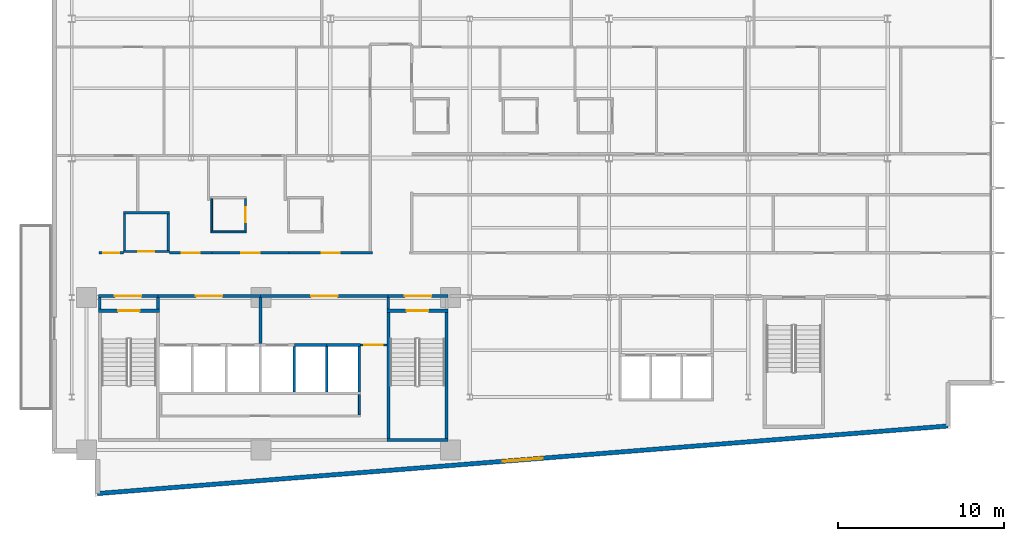
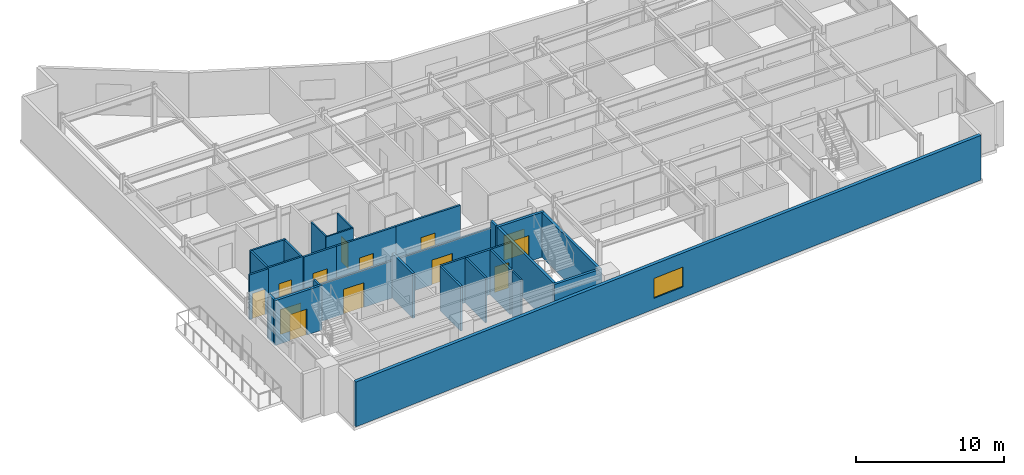
# One storey, part 10 of 18: 32 walls, 13 doors, 1 window, 14 openings.
"""IFC4 building model written with IfcOpenShell, lengths in metres."""

import ifcopenshell
import ifcopenshell.guid

model = None  # the IFC model being written
_history = None  # IfcOwnerHistory: only IFC2X3 demands one
_inside = {}  # id of a spatial element -> (the spatial element, [elements in it])
_under = {}  # id of a project, library or spatial element -> (it, [spatial elements below it])
_declared = {}  # id of a project -> (the project, [libraries it declares])
_typed = {}  # id of a type object -> (the type object, [elements of that type])
_made_of = {}  # id of a material, layer set ... -> (it, [elements and type objects made of it])


def new_model(schema):
    """Start an empty IFC model of exactly this schema.

    Asked for "IFC4X3", IfcOpenShell would pick the latest addendum, in which some entities
    have other attributes; the version numbers below select the first issue.
    IFC2X3 requires an IfcOwnerHistory on every rooted entity: one is made here for all.
    """
    global model, _history
    if schema == "IFC4X3":
        model = ifcopenshell.file(schema_version=(4, 3, 0, 0))
    else:
        model = ifcopenshell.file(schema=schema)
    _inside.clear()
    _under.clear()
    _declared.clear()
    _typed.clear()
    _made_of.clear()
    _history = None
    if model.schema == "IFC2X3":
        org = make("IfcOrganization", Name="unknown")
        user = make(
            "IfcPersonAndOrganization",
            ThePerson=make("IfcPerson", FamilyName="unknown"),
            TheOrganization=org,
        )
        app = make(
            "IfcApplication",
            ApplicationDeveloper=org,
            Version="unknown",
            ApplicationFullName="unknown",
            ApplicationIdentifier="unknown",
        )
        _history = make(
            "IfcOwnerHistory",
            OwningUser=user,
            OwningApplication=app,
            ChangeAction="ADDED",
            CreationDate=0,
        )
    return model


def make(cls, **values):
    """One entity of the class cls with the attributes given. An attribute that is None is left unset."""
    return model.create_entity(
        cls, **{name: value for name, value in values.items() if value is not None}
    )


def rooted(cls, **values):
    """An entity with a GlobalId (a new one), such as an element, a storey or a relation."""
    return make(cls, GlobalId=ifcopenshell.guid.new(), OwnerHistory=_history, **values)


def si_unit(unit_type, name, prefix=None):
    """IfcSIUnit, for example si_unit("LENGTHUNIT", "METRE", prefix="MILLI")."""
    return make("IfcSIUnit", UnitType=unit_type, Prefix=prefix, Name=name)


def assignment(units):
    """IfcUnitAssignment: the units of a project."""
    return None if units is None else make("IfcUnitAssignment", Units=units)


def point(xyz):
    """IfcCartesianPoint."""
    return None if xyz is None else make("IfcCartesianPoint", Coordinates=xyz)


def direction(xyz):
    """IfcDirection."""
    return None if xyz is None else make("IfcDirection", DirectionRatios=xyz)


def frame(location, z_axis=None, x_axis=None):
    """IfcAxis2Placement3D, a coordinate frame: its origin and axes. An axis left out is left unset."""
    return make(
        "IfcAxis2Placement3D",
        Location=point(location),
        Axis=direction(z_axis),
        RefDirection=direction(x_axis),
    )


def frame_2d(location, x_axis=None):
    """IfcAxis2Placement2D, a coordinate frame in the plane: its origin and x axis."""
    return make(
        "IfcAxis2Placement2D", Location=point(location), RefDirection=direction(x_axis)
    )


def origin():
    """The frame at (0, 0, 0) with its axes left unset."""
    return frame((0.0, 0.0, 0.0))


def place(relative_to, where):
    """IfcLocalPlacement: puts the frame where relative to a parent placement (None: the world)."""
    return make(
        "IfcLocalPlacement", PlacementRelTo=relative_to, RelativePlacement=where
    )


def context(
    kind, dimensions, precision=None, world=None, true_north=None, identifier=None
):
    """IfcGeometricRepresentationContext, for example the 3D "Model" context."""
    return make(
        "IfcGeometricRepresentationContext",
        ContextIdentifier=identifier,
        ContextType=kind,
        CoordinateSpaceDimension=dimensions,
        Precision=precision,
        WorldCoordinateSystem=world,
        TrueNorth=true_north,
    )


def subcontext(parent, identifier, kind, view, scale=None):
    """IfcGeometricRepresentationSubContext, for example "Body" below "Model"."""
    return make(
        "IfcGeometricRepresentationSubContext",
        ContextIdentifier=identifier,
        ContextType=kind,
        ParentContext=parent,
        TargetScale=scale,
        TargetView=view,
    )


def project(units=None, contexts=None):
    """IfcProject with its units and contexts."""
    return rooted(
        "IfcProject",
        Name="project",
        RepresentationContexts=contexts,
        UnitsInContext=assignment(units),
    )


def spatial(cls, under=None, at=None, **own):
    """A site, building, storey or space (cls), placed at a placement, below another one or the project."""
    s = rooted(cls, ObjectPlacement=at, **own)
    if under is not None:
        _under.setdefault(under.id(), (under, []))[1].append(s)
    return s


def profile(cls, at=None, kind="AREA", **sizes):
    """A parametric profile (cls). Its sizes go by their IFC names, for example OverallWidth=200.0."""
    return make(cls, ProfileType=kind, Position=at, **sizes)


def rectangle(**sizes):
    """IfcRectangleProfileDef."""
    return profile("IfcRectangleProfileDef", **sizes)


def extrude(swept, where, along, depth):
    """IfcExtrudedAreaSolid: the profile swept, set in the frame where, extruded along a direction by depth."""
    return make(
        "IfcExtrudedAreaSolid",
        SweptArea=swept,
        Position=where,
        ExtrudedDirection=direction(along),
        Depth=depth,
    )


def shape(context_of_items, identifier, shape_type, items):
    """IfcShapeRepresentation: the items that make up one representation, for example the "Body"."""
    return make(
        "IfcShapeRepresentation",
        ContextOfItems=context_of_items,
        RepresentationIdentifier=identifier,
        RepresentationType=shape_type,
        Items=items,
    )


def material(Name=None, Category=None):
    """IfcMaterial."""
    return make("IfcMaterial", Name=Name, Category=Category)


def layer(
    of_material, thickness, ventilated=None, Name=None, Category=None, Priority=None
):
    """IfcMaterialLayer: one layer of a wall or slab, of a material (None: an air gap)."""
    return make(
        "IfcMaterialLayer",
        Material=of_material,
        LayerThickness=thickness,
        IsVentilated=ventilated,
        Name=Name,
        Category=Category,
        Priority=Priority,
    )


def layer_set(layers, Name=None):
    """IfcMaterialLayerSet."""
    return make("IfcMaterialLayerSet", MaterialLayers=layers, LayerSetName=Name)


def made_of(thing, what):
    """Note that an element or type object is made of a material, layer set ...; save() writes the relation."""
    if what is not None:
        _made_of.setdefault(what.id(), (what, []))[1].append(thing)
    return thing


def type_object(cls, material=None, **own):
    """A type object (cls), such as IfcWallType, which elements share."""
    return made_of(rooted(cls, **own), material)


def element(
    cls,
    number,
    at=None,
    inside=None,
    cuts=None,
    type_object=None,
    material=None,
    context=None,
    identifier="Body",
    shape_type=None,
    held_by="IfcProductDefinitionShape",
    body=None,
    shapes=None,
    **own,
):
    """One element of the class cls, such as IfcWall. Its Tag is "e" and its number.

    at: its placement. inside: the storey or other place that contains it. cuts: it is an
    opening in that element (IfcRelVoidsElement). A single representation is given by context,
    identifier, shape_type and body (its items); several are given by shapes. held_by: the class
    of the entity that holds the representations. save() writes the other relations.
    """
    e = rooted(cls, Tag="e%d" % number, ObjectPlacement=at, **own)
    if body is not None:
        shapes = [shape(context, identifier, shape_type, body)]
    if shapes is not None:
        e.Representation = make(held_by, Representations=shapes)
    if inside is not None:
        _inside.setdefault(inside.id(), (inside, []))[1].append(e)
    if cuts is not None:
        rooted(
            "IfcRelVoidsElement", RelatingBuildingElement=cuts, RelatedOpeningElement=e
        )
    if type_object is not None:
        _typed.setdefault(type_object.id(), (type_object, []))[1].append(e)
    return made_of(e, material)


def fill(opening, filler):
    """IfcRelFillsElement: the door or window that sits in an opening."""
    return rooted(
        "IfcRelFillsElement",
        RelatingOpeningElement=opening,
        RelatedBuildingElement=filler,
    )


def aggregate(whole, parts):
    """IfcRelAggregates: a whole, such as a stair, and the parts it consists of."""
    return rooted("IfcRelAggregates", RelatingObject=whole, RelatedObjects=parts)


def save(model, path):
    """Write the relations noted so far, then the file.

    IfcRelAggregates (storeys below a building ...), IfcRelContainedInSpatialStructure (elements
    in a storey), IfcRelDefinesByType, IfcRelAssociatesMaterial and IfcRelDeclares: one each for
    every whole, place, type object, material and project.
    """
    for whole, parts in _under.values():
        aggregate(whole, parts)
    for where, things in _inside.values():
        rooted(
            "IfcRelContainedInSpatialStructure",
            RelatedElements=things,
            RelatingStructure=where,
        )
    for kind, things in _typed.values():
        rooted("IfcRelDefinesByType", RelatedObjects=things, RelatingType=kind)
    for what, things in _made_of.values():
        rooted("IfcRelAssociatesMaterial", RelatedObjects=things, RelatingMaterial=what)
    for by, libraries in _declared.values():
        rooted("IfcRelDeclares", RelatingContext=by, RelatedDefinitions=libraries)
    model.write(path)


model = new_model("IFC4")

# Units and contexts
model_context = context("Model", 3, precision=1e-05, world=origin(), true_north=direction((0.0, 1.0)))
body_context = subcontext(model_context, "Body", "Model", "MODEL_VIEW")
ifc_project = project(units=[si_unit("LENGTHUNIT", "METRE"), si_unit("AREAUNIT", "SQUARE_METRE"), si_unit("VOLUMEUNIT", "CUBIC_METRE"), si_unit("PLANEANGLEUNIT", "RADIAN"), si_unit("MASSUNIT", "GRAM", prefix="KILO")], contexts=[model_context])

# Site, building, storey
site_placement = place(None, origin())
site = spatial("IfcSite", under=ifc_project, at=site_placement, CompositionType="ELEMENT")
building_placement = place(site_placement, origin())
building = spatial("IfcBuilding", under=site, at=building_placement, Name="Varnakote Quay Hospital", CompositionType="ELEMENT")
storey_placement = place(building_placement, frame((0.0, 0.0, 158.64990234375)))
storey = spatial("IfcBuildingStorey", under=building, at=storey_placement, Name="L39", CompositionType="ELEMENT", Elevation=158.64990234375)

# Wall
ifc_material_1 = material(Name="Fire-rated acoustic gypsum stud wall", Category="gypsum")
ifc_layer_1 = layer(ifc_material_1, 0.159912109375)
ifc_layer_set_1 = layer_set([ifc_layer_1], Name="Fire-rated acoustic gypsum stud wall")
wall_type_1 = type_object("IfcWallType", Name="WL-COMP-160", PredefinedType="PARTITIONING", material=ifc_layer_set_1)
wall_1_placement = place(storey_placement, frame((2.8798828125, 11.300048828125, 0.0), z_axis=(0.0, 0.0, 1.0), x_axis=(0.0, 1.0, 0.0)))
element("IfcWall", 1, at=wall_1_placement, inside=storey, type_object=wall_type_1, Name="L39 West Stair Vestibule West Wall", PredefinedType="PARTITIONING", context=body_context, shape_type="SweptSolid", body=[
    extrude(rectangle(XDim=0.699951171875, YDim=0.159912109375, at=frame_2d((0.35009765625, 0.0))), origin(), (0.0, 0.0, 1.0), 3.710205078125),
])

# Wall, opening, door
wall_2_placement = place(storey_placement, frame((2.800048828125, 12.080078125, 0.0), z_axis=(0.0, 0.0, 1.0), x_axis=(1.0, 0.0, 0.0)))
wall_2 = element("IfcWall", 2, at=wall_2_placement, inside=storey, type_object=wall_type_1, Name="L39 West Stair Vestibule Smoke Wall", PredefinedType="PARTITIONING", context=body_context, shape_type="SweptSolid", body=[
    extrude(rectangle(XDim=3.599853515625, YDim=0.159912109375, at=frame_2d((1.7998046875, 0.0))), origin(), (0.0, 0.0, 1.0), 3.0830078125),
])
opening_1_placement = place(wall_2_placement, frame((1.0, 0.0, 0.0)))
opening_1 = element("IfcOpeningElement", 3, at=opening_1_placement, cuts=wall_2, Name="Opening D-ST1L-L39", PredefinedType="OPENING", context=body_context, shape_type="SweptSolid", body=[
    extrude(rectangle(XDim=1.60009765625, YDim=2.050048828125, at=frame_2d((0.800048828125, 1.02490234375))), frame((0.0, 0.08984375, 0.0), z_axis=(0.0, -1.0, 0.0), x_axis=(1.0, 0.0, 0.0)), (0.0, 0.0, 1.0), 0.179931640625),
])
ifc_material_2 = material(Name="Fire-rated double smoke lobby door")
door_type_1 = type_object("IfcDoorType", Name="DR-LOBBY-FD60S-1600x2150", OperationType="NOTDEFINED", PredefinedType="DOOR", material=ifc_material_2)
door_1_placement = place(opening_1_placement, origin())
door_1 = element("IfcDoor", 4, at=door_1_placement, inside=storey, type_object=door_type_1, Name="L39 West Stair Vestibule Smoke Door", OperationType="DOUBLE_DOOR_SINGLE_SWING", OverallHeight=2.050048828125, OverallWidth=1.60009765625, PredefinedType="DOOR", context=body_context, shape_type="SweptSolid", body=[
    extrude(rectangle(XDim=1.60009765625, YDim=2.050048828125, at=frame_2d((0.800048828125, 1.02490234375))), frame((0.0, 0.02490234375, 0.0), z_axis=(0.0, -1.0, 0.0), x_axis=(1.0, 0.0, 0.0)), (0.0, 0.0, 1.0), 0.050048828125),
])
fill(opening_1, door_1)

# Wall
wall_3_placement = place(storey_placement, frame((6.39990234375, 11.300048828125, 0.0), z_axis=(0.0, 0.0, 1.0), x_axis=(0.0, 1.0, 0.0)))
element("IfcWall", 5, at=wall_3_placement, inside=storey, type_object=wall_type_1, Name="L39 Firefighting Lobby West Wall", PredefinedType="PARTITIONING", context=body_context, shape_type="SweptSolid", body=[
    extrude(rectangle(XDim=0.699951171875, YDim=0.159912109375, at=frame_2d((0.35009765625, 0.0))), origin(), (0.0, 0.0, 1.0), 3.710205078125),
])

# Wall, opening, door
wall_4_placement = place(storey_placement, frame((6.39990234375, 12.080078125, 0.0), z_axis=(0.0, 0.0, 1.0), x_axis=(1.0, 0.0, 0.0)))
wall_4 = element("IfcWall", 6, at=wall_4_placement, inside=storey, type_object=wall_type_1, Name="L39 Firefighting Lift Lobby Compartment Wall", PredefinedType="PARTITIONING", context=body_context, shape_type="SweptSolid", body=[
    extrude(rectangle(XDim=6.18017578125, YDim=0.159912109375, at=frame_2d((3.090087890625, 0.0))), origin(), (0.0, 0.0, 1.0), 3.0830078125),
])
opening_2_placement = place(wall_4_placement, frame((2.2900390625, 0.0, 0.0)))
opening_2 = element("IfcOpeningElement", 7, at=opening_2_placement, cuts=wall_4, Name="Opening D-FFL-L39", PredefinedType="OPENING", context=body_context, shape_type="SweptSolid", body=[
    extrude(rectangle(XDim=1.60009765625, YDim=2.050048828125, at=frame_2d((0.800048828125, 1.02490234375))), frame((0.0, 0.08984375, 0.0), z_axis=(0.0, -1.0, 0.0), x_axis=(1.0, 0.0, 0.0)), (0.0, 0.0, 1.0), 0.179931640625),
])
door_2_placement = place(opening_2_placement, origin())
door_2 = element("IfcDoor", 8, at=door_2_placement, inside=storey, type_object=door_type_1, Name="L39 Firefighting Smoke Vestibule Door", OperationType="DOUBLE_DOOR_SINGLE_SWING", OverallHeight=2.050048828125, OverallWidth=1.60009765625, PredefinedType="DOOR", context=body_context, shape_type="SweptSolid", body=[
    extrude(rectangle(XDim=1.60009765625, YDim=2.050048828125, at=frame_2d((0.800048828125, 1.02490234375))), frame((0.0, 0.02490234375, 0.0), z_axis=(0.0, -1.0, 0.0), x_axis=(1.0, 0.0, 0.0)), (0.0, 0.0, 1.0), 0.050048828125),
])
fill(opening_2, door_2)

# Wall
wall_5_placement = place(storey_placement, frame((12.580078125, 9.2099609375, 0.0), z_axis=(0.0, 0.0, 1.0), x_axis=(0.0, 1.0, 0.0)))
element("IfcWall", 9, at=wall_5_placement, inside=storey, type_object=wall_type_1, Name="L39 Firefighting to Service Lobby Wall", PredefinedType="PARTITIONING", context=body_context, shape_type="SweptSolid", body=[
    extrude(rectangle(XDim=2.7900390625, YDim=0.159912109375, at=frame_2d((1.39501953125, 0.0))), origin(), (0.0, 0.0, 1.0), 3.710205078125),
])

# Wall, opening, door
wall_6_placement = place(storey_placement, frame((12.580078125, 12.080078125, 0.0), z_axis=(0.0, 0.0, 1.0), x_axis=(1.0, 0.0, 0.0)))
wall_6 = element("IfcWall", 10, at=wall_6_placement, inside=storey, type_object=wall_type_1, Name="L39 Clinical Bed Lift Lobby Wall", PredefinedType="PARTITIONING", context=body_context, shape_type="SweptSolid", body=[
    extrude(rectangle(XDim=7.699951171875, YDim=0.159912109375, at=frame_2d((3.85009765625, 0.0))), origin(), (0.0, 0.0, 1.0), 3.0830078125),
])
opening_3_placement = place(wall_6_placement, frame((3.050048828125, 0.0, 0.0)))
opening_3 = element("IfcOpeningElement", 11, at=opening_3_placement, cuts=wall_6, Name="Opening D-SVL-L39", PredefinedType="OPENING", context=body_context, shape_type="SweptSolid", body=[
    extrude(rectangle(XDim=1.60009765625, YDim=2.050048828125, at=frame_2d((0.800048828125, 1.02490234375))), frame((0.0, 0.08984375, 0.0), z_axis=(0.0, -1.0, 0.0), x_axis=(1.0, 0.0, 0.0)), (0.0, 0.0, 1.0), 0.179931640625),
])
door_3_placement = place(opening_3_placement, origin())
door_3 = element("IfcDoor", 12, at=door_3_placement, inside=storey, type_object=door_type_1, Name="L39 Clinical Core Smoke Vestibule Door", OperationType="DOUBLE_DOOR_SINGLE_SWING", OverallHeight=2.050048828125, OverallWidth=1.60009765625, PredefinedType="DOOR", context=body_context, shape_type="SweptSolid", body=[
    extrude(rectangle(XDim=1.60009765625, YDim=2.050048828125, at=frame_2d((0.800048828125, 1.02490234375))), frame((0.0, 0.02490234375, 0.0), z_axis=(0.0, -1.0, 0.0), x_axis=(1.0, 0.0, 0.0)), (0.0, 0.0, 1.0), 0.050048828125),
])
fill(opening_3, door_3)

# Wall
wall_7_placement = place(storey_placement, frame((20.280029296875, 11.300048828125, 0.0), z_axis=(0.0, 0.0, 1.0), x_axis=(0.0, 1.0, 0.0)))
element("IfcWall", 13, at=wall_7_placement, inside=storey, type_object=wall_type_1, Name="L39 East Stair Vestibule Divider Wall", PredefinedType="PARTITIONING", context=body_context, shape_type="SweptSolid", body=[
    extrude(rectangle(XDim=0.699951171875, YDim=0.159912109375, at=frame_2d((0.35009765625, 0.0))), origin(), (0.0, 0.0, 1.0), 3.710205078125),
])

# Wall, opening, door
wall_8_placement = place(storey_placement, frame((20.280029296875, 12.080078125, 0.0), z_axis=(0.0, 0.0, 1.0), x_axis=(1.0, 0.0, 0.0)))
wall_8 = element("IfcWall", 14, at=wall_8_placement, inside=storey, type_object=wall_type_1, Name="L39 East Stair Vestibule Smoke Wall", PredefinedType="PARTITIONING", context=body_context, shape_type="SweptSolid", body=[
    extrude(rectangle(XDim=3.619873046875, YDim=0.159912109375, at=frame_2d((1.81005859375, 0.0))), origin(), (0.0, 0.0, 1.0), 3.0830078125),
])
opening_4_placement = place(wall_8_placement, frame((1.010009765625, 0.0, 0.0)))
opening_4 = element("IfcOpeningElement", 15, at=opening_4_placement, cuts=wall_8, Name="Opening D-ST2L-L39", PredefinedType="OPENING", context=body_context, shape_type="SweptSolid", body=[
    extrude(rectangle(XDim=1.60009765625, YDim=2.050048828125, at=frame_2d((0.800048828125, 1.02490234375))), frame((0.0, 0.08984375, 0.0), z_axis=(0.0, -1.0, 0.0), x_axis=(1.0, 0.0, 0.0)), (0.0, 0.0, 1.0), 0.179931640625),
])
door_4_placement = place(opening_4_placement, origin())
door_4 = element("IfcDoor", 16, at=door_4_placement, inside=storey, type_object=door_type_1, Name="L39 East Stair Vestibule Smoke Door", OperationType="DOUBLE_DOOR_SINGLE_SWING", OverallHeight=2.050048828125, OverallWidth=1.60009765625, PredefinedType="DOOR", context=body_context, shape_type="SweptSolid", body=[
    extrude(rectangle(XDim=1.60009765625, YDim=2.050048828125, at=frame_2d((0.800048828125, 1.02490234375))), frame((0.0, 0.02490234375, 0.0), z_axis=(0.0, -1.0, 0.0), x_axis=(1.0, 0.0, 0.0)), (0.0, 0.0, 1.0), 0.050048828125),
])
fill(opening_4, door_4)

# Walls
ifc_material_3 = material(Name="Moisture-resistant bathroom partition", Category="gypsum")
ifc_layer_2 = layer(ifc_material_3, 0.114990234375)
ifc_layer_set_2 = layer_set([ifc_layer_2], Name="Moisture-resistant bathroom partition")
wall_type_2 = type_object("IfcWallType", Name="WL-ENS-115", PredefinedType="PARTITIONING", material=ifc_layer_set_2)
wall_9_placement = place(storey_placement, frame((9.5849609375, 15.952392578125, 0.0), z_axis=(0.0, 0.0, 1.0), x_axis=(1.0, 0.0, 0.0)))
element("IfcWall", 17, at=wall_9_placement, inside=storey, type_object=wall_type_2, Name="L39 Inpatient En-Suite Bathroom 01 S Wall", PredefinedType="PARTITIONING", context=body_context, shape_type="SweptSolid", body=[
    extrude(rectangle(XDim=2.150146484375, YDim=0.114990234375, at=frame_2d((1.0751953125, 0.0))), origin(), (0.0, 0.0, 1.0), 3.710205078125),
])
wall_10_placement = place(storey_placement, frame((9.642578125, 16.010009765625, 0.0), z_axis=(0.0, 0.0, 1.0), x_axis=(0.0, 1.0, 0.0)))
element("IfcWall", 18, at=wall_10_placement, inside=storey, type_object=wall_type_2, Name="L39 Inpatient En-Suite Bathroom 01 W Wall", PredefinedType="PARTITIONING", context=body_context, shape_type="SweptSolid", body=[
    extrude(rectangle(XDim=1.949951171875, YDim=0.114990234375, at=frame_2d((0.97509765625, 0.0))), origin(), (0.0, 0.0, 1.0), 3.710205078125),
])

# Wall, opening, door
wall_11_placement = place(storey_placement, frame((11.677490234375, 16.010009765625, 0.0), z_axis=(0.0, 0.0, 1.0), x_axis=(0.0, 1.0, 0.0)))
wall_11 = element("IfcWall", 19, at=wall_11_placement, inside=storey, type_object=wall_type_2, Name="L39 Inpatient En-Suite Bathroom 01 E Wall", PredefinedType="PARTITIONING", context=body_context, shape_type="SweptSolid", body=[
    extrude(rectangle(XDim=1.949951171875, YDim=0.114990234375, at=frame_2d((0.97509765625, 0.0))), origin(), (0.0, 0.0, 1.0), 3.710205078125),
])
opening_5_placement = place(wall_11_placement, frame((0.514892578125, 0.0, 0.0)))
opening_5 = element("IfcOpeningElement", 20, at=opening_5_placement, cuts=wall_11, Name="Opening D-L39-ENS01", PredefinedType="OPENING", context=body_context, shape_type="SweptSolid", body=[
    extrude(rectangle(XDim=0.919921875, YDim=2.10009765625, at=frame_2d((0.4599609375, 1.050048828125))), frame((0.0, 0.0673828125, 0.0), z_axis=(0.0, -1.0, 0.0), x_axis=(1.0, 0.0, 0.0)), (0.0, 0.0, 1.0), 0.135009765625),
])
ifc_material_4 = material(Name="Moisture-sealed en-suite bathroom door")
door_type_2 = type_object("IfcDoorType", Name="DR-ENS-920x2100", OperationType="NOTDEFINED", PredefinedType="DOOR", material=ifc_material_4)
door_5_placement = place(opening_5_placement, origin())
door_5 = element("IfcDoor", 21, at=door_5_placement, inside=storey, type_object=door_type_2, Name="L39 Inpatient En-Suite Bathroom 01 Door", OperationType="SINGLE_SWING_RIGHT", OverallHeight=2.10009765625, OverallWidth=0.919921875, PredefinedType="DOOR", context=body_context, shape_type="SweptSolid", body=[
    extrude(rectangle(XDim=0.919921875, YDim=2.10009765625, at=frame_2d((0.4599609375, 1.050048828125))), frame((0.0, 0.02490234375, 0.0), z_axis=(0.0, -1.0, 0.0), x_axis=(1.0, 0.0, 0.0)), (0.0, 0.0, 1.0), 0.050048828125),
])
fill(opening_5, door_5)

# Wall, opening, window
ifc_material_5 = material(Name="Precast concrete N50 (f'c 50 MPa)", Category="concrete")
ifc_layer_3 = layer(ifc_material_5, 0.260009765625)
ifc_layer_set_3 = layer_set([ifc_layer_3], Name="Precast concrete N50 (f'c 50 MPa)")
wall_type_3 = type_object("IfcWallType", Name="WL-EXT-BRICK-260", PredefinedType="STANDARD", material=ifc_layer_set_3)
wall_12_placement = place(storey_placement, frame((2.760009765625, 0.173095703125, 0.0), z_axis=(0.0, 0.0, 1.0), x_axis=(0.996857931723, 0.079210251617, 0.0)))
wall_12 = element("IfcWall", 22, at=wall_12_placement, inside=storey, type_object=wall_type_3, Name="L39 Brick-Faced Precast Exterior Wall", PredefinedType="STANDARD", context=body_context, shape_type="SweptSolid", body=[
    extrude(rectangle(XDim=51.441650390625, YDim=0.260009765625, at=frame_2d((25.720703125, 0.0))), origin(), (0.0, 0.0, 1.0), 3.710205078125),
])
opening_6_placement = place(wall_12_placement, frame((24.520751953125, 0.0, 0.89990234375)))
opening_6 = element("IfcOpeningElement", 23, at=opening_6_placement, cuts=wall_12, Name="Opening WN-0166", PredefinedType="OPENING", context=body_context, shape_type="SweptSolid", body=[
    extrude(rectangle(XDim=2.39990234375, YDim=1.64990234375, at=frame_2d((1.199951171875, 0.824951171875))), frame((0.0, 0.139892578125, 0.0), z_axis=(0.0, -1.0, 0.0), x_axis=(1.0, 0.0, 0.0)), (0.0, 0.0, 1.0), 0.280029296875),
])
ifc_material_6 = material(Name="Double-glazed low-E solar glass", Category="glass")
window_type = type_object("IfcWindowType", Name="WIN-CLIN-2400x1650", PartitioningType="SINGLE_PANEL", PredefinedType="WINDOW", material=ifc_material_6)
window_placement = place(opening_6_placement, origin())
window = element("IfcWindow", 24, at=window_placement, inside=storey, type_object=window_type, Name="L39 Solar-Control Clinical Window", OverallHeight=1.64990234375, OverallWidth=2.39990234375, PartitioningType="SINGLE_PANEL", PredefinedType="WINDOW", context=body_context, shape_type="SweptSolid", body=[
    extrude(rectangle(XDim=2.39990234375, YDim=1.64990234375, at=frame_2d((1.199951171875, 0.824951171875))), frame((0.0, 0.030029296875, 0.0), z_axis=(0.0, -1.0, 0.0), x_axis=(1.0, 0.0, 0.0)), (0.0, 0.0, 1.0), 0.06005859375),
])
fill(opening_6, window)

# Walls
ifc_material_7 = material(Name="Concrete N50 (f'c 50 MPa)", Category="concrete")
ifc_layer_4 = layer(ifc_material_7, 0.14990234375)
ifc_layer_set_4 = layer_set([ifc_layer_4], Name="Concrete N50 (f'c 50 MPa)")
wall_type_4 = type_object("IfcWallType", Name="WL-SHAFT-N50-150", PredefinedType="SHEAR", material=ifc_layer_set_4)
for number, where, z_axis, x_axis, name in (
    (25, (14.625, 6.300048828125, 0.0), (0.0, 0.0, 1.0), (0.0, 1.0, 0.0), "L39 LF-SV2 Hoistway Divider Wall"),
    (26, (16.574951171875, 6.300048828125, 0.0), (0.0, 0.0, 1.0), (0.0, 1.0, 0.0), "L39 LF-PH1 Hoistway Divider Wall"),
):
    element("IfcWall", number, at=place(storey_placement, frame(where, z_axis=z_axis, x_axis=x_axis)), inside=storey, type_object=wall_type_4, Name=name, PredefinedType="SHEAR", context=body_context, shape_type="SweptSolid", body=[
        extrude(rectangle(XDim=2.75, YDim=0.14990234375, at=frame_2d((1.375, 0.0))), origin(), (0.0, 0.0, 1.0), 3.710205078125),
    ])
ifc_material_8 = material(Name="Concrete N50 (f'c 50 MPa)", Category="concrete")
ifc_layer_5 = layer(ifc_material_8, 0.159912109375)
ifc_layer_set_5 = layer_set([ifc_layer_5], Name="Concrete N50 (f'c 50 MPa)")
wall_type_5 = type_object("IfcWallType", Name="WL-SHAFT-N50-160", PredefinedType="SHEAR", material=ifc_layer_set_5)
wall_13_placement = place(storey_placement, frame((18.530029296875, 6.300048828125, 0.0), z_axis=(0.0, 0.0, 1.0), x_axis=(0.0, 1.0, 0.0)))
element("IfcWall", 27, at=wall_13_placement, inside=storey, type_object=wall_type_5, Name="L39 REAR Lift Bank East Shear Wall", PredefinedType="SHEAR", context=body_context, shape_type="SweptSolid", body=[
    extrude(rectangle(XDim=2.75, YDim=0.159912109375, at=frame_2d((1.375, 0.0))), origin(), (0.0, 0.0, 1.0), 3.710205078125),
])
wall_14_placement = place(storey_placement, frame((14.625, 9.1298828125, 0.0), z_axis=(0.0, 0.0, 1.0), x_axis=(1.0, 0.0, 0.0)))
element("IfcWall", 28, at=wall_14_placement, inside=storey, type_object=wall_type_5, Name="L39 LF-PH1 Hoistway Front Wall", PredefinedType="SHEAR", context=body_context, shape_type="SweptSolid", body=[
    extrude(rectangle(XDim=1.949951171875, YDim=0.159912109375, at=frame_2d((0.97509765625, 0.0))), origin(), (0.0, 0.0, 1.0), 3.710205078125),
])
wall_15_placement = place(storey_placement, frame((16.574951171875, 9.1298828125, 0.0), z_axis=(0.0, 0.0, 1.0), x_axis=(1.0, 0.0, 0.0)))
element("IfcWall", 29, at=wall_15_placement, inside=storey, type_object=wall_type_5, Name="L39 LF-PH2 Hoistway Front Wall", PredefinedType="SHEAR", context=body_context, shape_type="SweptSolid", body=[
    extrude(rectangle(XDim=2.03515625, YDim=0.159912109375, at=frame_2d((1.017578125, 0.0))), origin(), (0.0, 0.0, 1.0), 3.710205078125),
])

# Wall, opening, door
ifc_material_9 = material(Name="Concrete N50 (f'c 50 MPa)", Category="concrete")
ifc_layer_6 = layer(ifc_material_9, 0.199951171875)
ifc_layer_set_6 = layer_set([ifc_layer_6], Name="Concrete N50 (f'c 50 MPa)")
wall_type_6 = type_object("IfcWallType", Name="WL-SHAFT-N50-200", PredefinedType="SHEAR", material=ifc_layer_set_6)
wall_16_placement = place(storey_placement, frame((2.800048828125, 11.199951171875, 0.0), z_axis=(0.0, 0.0, 1.0), x_axis=(1.0, 0.0, 0.0)))
wall_16 = element("IfcWall", 30, at=wall_16_placement, inside=storey, type_object=wall_type_6, Name="L39 Stair ST1 Exit Wall", PredefinedType="SHEAR", context=body_context, shape_type="SweptSolid", body=[
    extrude(rectangle(XDim=3.699951171875, YDim=0.199951171875, at=frame_2d((1.85009765625, 0.0))), origin(), (0.0, 0.0, 1.0), 3.710205078125),
])
opening_7_placement = place(wall_16_placement, frame((1.199951171875, 0.0, 0.0)))
opening_7 = element("IfcOpeningElement", 31, at=opening_7_placement, cuts=wall_16, Name="Opening D-ST1-L39", PredefinedType="OPENING", context=body_context, shape_type="SweptSolid", body=[
    extrude(rectangle(XDim=1.300048828125, YDim=2.14990234375, at=frame_2d((0.64990234375, 1.074951171875))), frame((0.0, 0.10986328125, 0.0), z_axis=(0.0, -1.0, 0.0), x_axis=(1.0, 0.0, 0.0)), (0.0, 0.0, 1.0), 0.219970703125),
])
ifc_material_10 = material(Name="Fire-rated ceramic-glazed timber exit door", Category="wood")
door_type_3 = type_object("IfcDoorType", Name="DR-STAIR-FD60S-1300x2150", OperationType="NOTDEFINED", PredefinedType="DOOR", material=ifc_material_10)
door_6_placement = place(opening_7_placement, origin())
door_6 = element("IfcDoor", 32, at=door_6_placement, inside=storey, type_object=door_type_3, Name="L39 Stair ST1 Fire Exit Door", OperationType="SINGLE_SWING_RIGHT", OverallHeight=2.14990234375, OverallWidth=1.300048828125, PredefinedType="DOOR", context=body_context, shape_type="SweptSolid", body=[
    extrude(rectangle(XDim=1.300048828125, YDim=2.14990234375, at=frame_2d((0.64990234375, 1.074951171875))), frame((0.0, 0.02490234375, 0.0), z_axis=(0.0, -1.0, 0.0), x_axis=(1.0, 0.0, 0.0)), (0.0, 0.0, 1.0), 0.050048828125),
])
fill(opening_7, door_6)

# Walls
wall_17_placement = place(storey_placement, frame((20.199951171875, 3.39990234375, 0.0), z_axis=(0.0, 0.0, 1.0), x_axis=(1.0, 0.0, 0.0)))
element("IfcWall", 33, at=wall_17_placement, inside=storey, type_object=wall_type_6, Name="L39 Stair ST2 South Shaft Wall", PredefinedType="SHEAR", context=body_context, shape_type="SweptSolid", body=[
    extrude(rectangle(XDim=3.699951171875, YDim=0.199951171875, at=frame_2d((1.85009765625, 0.0))), origin(), (0.0, 0.0, 1.0), 3.710205078125),
])
for number, where, z_axis, x_axis, name in (
    (34, (20.300048828125, 3.5, 0.0), (0.0, 0.0, 1.0), (0.0, 1.0, 0.0), "L39 Stair ST2 West Shaft Wall"),
    (35, (23.800048828125, 3.5, 0.0), (0.0, 0.0, 1.0), (0.0, 1.0, 0.0), "L39 Stair ST2 East Shaft Wall"),
):
    element("IfcWall", number, at=place(storey_placement, frame(where, z_axis=z_axis, x_axis=x_axis)), inside=storey, type_object=wall_type_6, Name=name, PredefinedType="SHEAR", context=body_context, shape_type="SweptSolid", body=[
        extrude(rectangle(XDim=7.60009765625, YDim=0.199951171875, at=frame_2d((3.800048828125, 0.0))), origin(), (0.0, 0.0, 1.0), 3.710205078125),
    ])

# Wall, opening, door
wall_18_placement = place(storey_placement, frame((20.199951171875, 11.199951171875, 0.0), z_axis=(0.0, 0.0, 1.0), x_axis=(1.0, 0.0, 0.0)))
wall_18 = element("IfcWall", 36, at=wall_18_placement, inside=storey, type_object=wall_type_6, Name="L39 Stair ST2 Exit Wall", PredefinedType="SHEAR", context=body_context, shape_type="SweptSolid", body=[
    extrude(rectangle(XDim=3.699951171875, YDim=0.199951171875, at=frame_2d((1.85009765625, 0.0))), origin(), (0.0, 0.0, 1.0), 3.710205078125),
])
opening_8_placement = place(wall_18_placement, frame((1.199951171875, 0.0, 0.0)))
opening_8 = element("IfcOpeningElement", 37, at=opening_8_placement, cuts=wall_18, Name="Opening D-ST2-L39", PredefinedType="OPENING", context=body_context, shape_type="SweptSolid", body=[
    extrude(rectangle(XDim=1.300048828125, YDim=2.14990234375, at=frame_2d((0.64990234375, 1.074951171875))), frame((0.0, 0.10986328125, 0.0), z_axis=(0.0, -1.0, 0.0), x_axis=(1.0, 0.0, 0.0)), (0.0, 0.0, 1.0), 0.219970703125),
])
door_7_placement = place(opening_8_placement, origin())
door_7 = element("IfcDoor", 38, at=door_7_placement, inside=storey, type_object=door_type_3, Name="L39 Stair ST2 Fire Exit Door", OperationType="SINGLE_SWING_LEFT", OverallHeight=2.14990234375, OverallWidth=1.300048828125, PredefinedType="DOOR", context=body_context, shape_type="SweptSolid", body=[
    extrude(rectangle(XDim=1.300048828125, YDim=2.14990234375, at=frame_2d((0.64990234375, 1.074951171875))), frame((0.0, 0.02490234375, 0.0), z_axis=(0.0, -1.0, 0.0), x_axis=(1.0, 0.0, 0.0)), (0.0, 0.0, 1.0), 0.050048828125),
])
fill(opening_8, door_7)

# Wall
ifc_material_11 = material(Name="Smoke-proof clinical partition", Category="gypsum")
ifc_layer_7 = layer(ifc_material_11, 0.1201171875)
ifc_layer_set_7 = layer_set([ifc_layer_7], Name="Smoke-proof clinical partition")
wall_type_7 = type_object("IfcWallType", Name="WL-SMOKE-120", PredefinedType="PARTITIONING", material=ifc_layer_set_7)
wall_19_placement = place(storey_placement, frame((18.5400390625, 4.919921875, 0.0), z_axis=(0.0, 0.0, 1.0), x_axis=(0.0, 1.0, 0.0)))
element("IfcWall", 39, at=wall_19_placement, inside=storey, type_object=wall_type_7, Name="L39 Core Service Strip East Wall", PredefinedType="PARTITIONING", context=body_context, shape_type="SweptSolid", body=[
    extrude(rectangle(XDim=1.219970703125, YDim=0.1201171875, at=frame_2d((0.60986328125, 0.0))), origin(), (0.0, 0.0, 1.0), 3.710205078125),
])

# Wall, opening, door
ifc_material_12 = material(Name="Fire-rated clinical gypsum partition", Category="gypsum")
ifc_layer_8 = layer(ifc_material_12, 0.139892578125)
ifc_layer_set_8 = layer_set([ifc_layer_8], Name="Fire-rated clinical gypsum partition")
wall_type_8 = type_object("IfcWallType", Name="WL-WARD-140", PredefinedType="PARTITIONING", material=ifc_layer_set_8)
wall_20_placement = place(storey_placement, frame((18.610107421875, 9.1298828125, 0.0), z_axis=(0.0, 0.0, 1.0), x_axis=(1.0, 0.0, 0.0)))
wall_20 = element("IfcWall", 40, at=wall_20_placement, inside=storey, type_object=wall_type_8, Name="L39 Core Service Corridor North Door Wall", PredefinedType="PARTITIONING", context=body_context, shape_type="SweptSolid", body=[
    extrude(rectangle(XDim=1.58984375, YDim=0.139892578125, at=frame_2d((0.794921875, 0.0))), origin(), (0.0, 0.0, 1.0), 3.710205078125),
])
opening_9_placement = place(wall_20_placement, frame((0.239990234375, 0.0, 0.0)))
opening_9 = element("IfcOpeningElement", 41, at=opening_9_placement, cuts=wall_20, Name="Opening D-CSRV-L39", PredefinedType="OPENING", context=body_context, shape_type="SweptSolid", body=[
    extrude(rectangle(XDim=1.10009765625, YDim=2.10009765625, at=frame_2d((0.550048828125, 1.050048828125))), frame((0.0, 0.079833984375, 0.0), z_axis=(0.0, -1.0, 0.0), x_axis=(1.0, 0.0, 0.0)), (0.0, 0.0, 1.0), 0.159912109375),
])
ifc_material_13 = material(Name="Acoustic timber clinical consult door", Category="wood")
door_type_4 = type_object("IfcDoorType", Name="DR-CLIN-FD30S-1100x2100", OperationType="NOTDEFINED", PredefinedType="DOOR", material=ifc_material_13)
door_8_placement = place(opening_9_placement, origin())
door_8 = element("IfcDoor", 42, at=door_8_placement, inside=storey, type_object=door_type_4, Name="L39 Core Service Corridor Door", OperationType="SINGLE_SWING_RIGHT", OverallHeight=2.10009765625, OverallWidth=1.10009765625, PredefinedType="DOOR", context=body_context, shape_type="SweptSolid", body=[
    extrude(rectangle(XDim=1.10009765625, YDim=2.10009765625, at=frame_2d((0.550048828125, 1.050048828125))), frame((0.0, 0.02490234375, 0.0), z_axis=(0.0, -1.0, 0.0), x_axis=(1.0, 0.0, 0.0)), (0.0, 0.0, 1.0), 0.050048828125),
])
fill(opening_9, door_8)

wall_21_placement = place(storey_placement, frame((4.31005859375, 14.77001953125, 0.0), z_axis=(0.0, 0.0, 1.0), x_axis=(1.0, 0.0, 0.0)))
wall_21 = element("IfcWall", 43, at=wall_21_placement, inside=storey, type_object=wall_type_8, Name="L39 Floor Unisex Accessible WC S Wall", PredefinedType="PARTITIONING", context=body_context, shape_type="SweptSolid", body=[
    extrude(rectangle(XDim=2.780029296875, YDim=0.139892578125, at=frame_2d((1.39013671875, 0.0))), origin(), (0.0, 0.0, 1.0), 3.710205078125),
])
opening_10_placement = place(wall_21_placement, frame((0.89990234375, 0.0, 0.0)))
opening_10 = element("IfcOpeningElement", 44, at=opening_10_placement, cuts=wall_21, Name="Opening D-L39-EW01", PredefinedType="OPENING", context=body_context, shape_type="SweptSolid", body=[
    extrude(rectangle(XDim=0.97998046875, YDim=2.10009765625, at=frame_2d((0.489990234375, 1.050048828125))), frame((0.0, 0.079833984375, 0.0), z_axis=(0.0, -1.0, 0.0), x_axis=(1.0, 0.0, 0.0)), (0.0, 0.0, 1.0), 0.159912109375),
])
ifc_material_14 = material(Name="Accessible sanitary compartment door")
door_type_5 = type_object("IfcDoorType", Name="DR-WC-980x2100", OperationType="NOTDEFINED", PredefinedType="DOOR", material=ifc_material_14)
door_9_placement = place(opening_10_placement, origin())
door_9 = element("IfcDoor", 45, at=door_9_placement, inside=storey, type_object=door_type_5, Name="L39 Floor Unisex Accessible WC Door", OperationType="SINGLE_SWING_LEFT", OverallHeight=2.10009765625, OverallWidth=0.97998046875, PredefinedType="DOOR", context=body_context, shape_type="SweptSolid", body=[
    extrude(rectangle(XDim=0.97998046875, YDim=2.10009765625, at=frame_2d((0.489990234375, 1.050048828125))), frame((0.0, 0.02490234375, 0.0), z_axis=(0.0, -1.0, 0.0), x_axis=(1.0, 0.0, 0.0)), (0.0, 0.0, 1.0), 0.050048828125),
])
fill(opening_10, door_9)

# Walls
wall_22_placement = place(storey_placement, frame((4.31005859375, 17.110107421875, 0.0), z_axis=(0.0, 0.0, 1.0), x_axis=(1.0, 0.0, 0.0)))
element("IfcWall", 46, at=wall_22_placement, inside=storey, type_object=wall_type_8, Name="L39 Floor Unisex Accessible WC N Wall", PredefinedType="PARTITIONING", context=body_context, shape_type="SweptSolid", body=[
    extrude(rectangle(XDim=2.780029296875, YDim=0.139892578125, at=frame_2d((1.39013671875, 0.0))), origin(), (0.0, 0.0, 1.0), 3.710205078125),
])
for number, where, z_axis, x_axis, name in (
    (47, (4.3798828125, 14.840087890625, 0.0), (0.0, 0.0, 1.0), (0.0, 1.0, 0.0), "L39 Floor Unisex Accessible WC W Wall"),
    (48, (7.02001953125, 14.840087890625, 0.0), (0.0, 0.0, 1.0), (0.0, 1.0, 0.0), "L39 Floor Unisex Accessible WC E Wall"),
):
    element("IfcWall", number, at=place(storey_placement, frame(where, z_axis=z_axis, x_axis=x_axis)), inside=storey, type_object=wall_type_8, Name=name, PredefinedType="PARTITIONING", context=body_context, shape_type="SweptSolid", body=[
        extrude(rectangle(XDim=2.199951171875, YDim=0.139892578125, at=frame_2d((1.10009765625, 0.0))), origin(), (0.0, 0.0, 1.0), 3.710205078125),
    ])

# Wall, opening, door
ifc_material_15 = material(Name="Fire-rated clinical gypsum partition", Category="gypsum")
ifc_layer_9 = layer(ifc_material_15, 0.14990234375)
ifc_layer_set_9 = layer_set([ifc_layer_9], Name="Fire-rated clinical gypsum partition")
wall_type_9 = type_object("IfcWallType", Name="WL-WARD-150", PredefinedType="PARTITIONING", material=ifc_layer_set_9)
wall_23_placement = place(storey_placement, frame((4.30810546875, 14.679931640625, 0.0), z_axis=(0.0, 0.0, 1.0), x_axis=(-1.0, 0.0, 0.0)))
wall_23 = element("IfcWall", 49, at=wall_23_placement, inside=storey, type_object=wall_type_9, Name="L39 Clinical Interior Partition", PredefinedType="PARTITIONING", context=body_context, shape_type="SweptSolid", body=[
    extrude(rectangle(XDim=1.4580078125, YDim=0.14990234375, at=frame_2d((0.72900390625, 0.0))), origin(), (0.0, 0.0, 1.0), 3.710205078125),
])
opening_11_placement = place(wall_23_placement, frame((0.239013671875, 0.0, 0.0)))
opening_11 = element("IfcOpeningElement", 50, at=opening_11_placement, cuts=wall_23, Name="Opening D-L39-MD01", PredefinedType="OPENING", context=body_context, shape_type="SweptSolid", body=[
    extrude(rectangle(XDim=0.97998046875, YDim=2.10009765625, at=frame_2d((0.489990234375, 1.050048828125))), frame((0.0, 0.0849609375, 0.0), z_axis=(0.0, -1.0, 0.0), x_axis=(1.0, 0.0, 0.0)), (0.0, 0.0, 1.0), 0.169921875),
])
door_10_placement = place(opening_11_placement, origin())
door_10 = element("IfcDoor", 51, at=door_10_placement, inside=storey, type_object=door_type_5, Name="L39 Clinical Simulation Teaching Room Door", OperationType="SINGLE_SWING_LEFT", OverallHeight=2.10009765625, OverallWidth=0.97998046875, PredefinedType="DOOR", context=body_context, shape_type="SweptSolid", body=[
    extrude(rectangle(XDim=0.97998046875, YDim=2.10009765625, at=frame_2d((0.489990234375, 1.050048828125))), frame((0.0, 0.02490234375, 0.0), z_axis=(0.0, -1.0, 0.0), x_axis=(1.0, 0.0, 0.0)), (0.0, 0.0, 1.0), 0.050048828125),
])
fill(opening_11, door_10)

wall_24_placement = place(storey_placement, frame((9.666015625, 14.679931640625, 0.0), z_axis=(0.0, 0.0, 1.0), x_axis=(-1.0, 0.0, 0.0)))
wall_24 = element("IfcWall", 52, at=wall_24_placement, inside=storey, type_object=wall_type_9, Name="L39 Clinical Interior Partition", PredefinedType="PARTITIONING", context=body_context, shape_type="SweptSolid", body=[
    extrude(rectangle(XDim=2.573974609375, YDim=0.14990234375, at=frame_2d((1.287109375, 0.0))), origin(), (0.0, 0.0, 1.0), 3.710205078125),
])
opening_12_placement = place(wall_24_placement, frame((0.737060546875, 0.0, 0.0)))
opening_12 = element("IfcOpeningElement", 53, at=opening_12_placement, cuts=wall_24, Name="Opening D-L39-MD02", PredefinedType="OPENING", context=body_context, shape_type="SweptSolid", body=[
    extrude(rectangle(XDim=1.10009765625, YDim=2.10009765625, at=frame_2d((0.550048828125, 1.050048828125))), frame((0.0, 0.0849609375, 0.0), z_axis=(0.0, -1.0, 0.0), x_axis=(1.0, 0.0, 0.0)), (0.0, 0.0, 1.0), 0.169921875),
])
door_11_placement = place(opening_12_placement, origin())
door_11 = element("IfcDoor", 54, at=door_11_placement, inside=storey, type_object=door_type_4, Name="L39 Allied Health Teaching Laboratory Door", OperationType="SINGLE_SWING_RIGHT", OverallHeight=2.10009765625, OverallWidth=1.10009765625, PredefinedType="DOOR", context=body_context, shape_type="SweptSolid", body=[
    extrude(rectangle(XDim=1.10009765625, YDim=2.10009765625, at=frame_2d((0.550048828125, 1.050048828125))), frame((0.0, 0.02490234375, 0.0), z_axis=(0.0, -1.0, 0.0), x_axis=(1.0, 0.0, 0.0)), (0.0, 0.0, 1.0), 0.050048828125),
])
fill(opening_12, door_11)

wall_25_placement = place(storey_placement, frame((14.2958984375, 14.679931640625, 0.0), z_axis=(0.0, 0.0, 1.0), x_axis=(-1.0, 0.0, 0.0)))
wall_25 = element("IfcWall", 55, at=wall_25_placement, inside=storey, type_object=wall_type_9, Name="L39 Clinical Interior Partition", PredefinedType="PARTITIONING", context=body_context, shape_type="SweptSolid", body=[
    extrude(rectangle(XDim=4.6279296875, YDim=0.14990234375, at=frame_2d((2.31396484375, 0.0))), origin(), (0.0, 0.0, 1.0), 3.710205078125),
])
opening_13_placement = place(wall_25_placement, frame((1.763916015625, 0.0, 0.0)))
opening_13 = element("IfcOpeningElement", 56, at=opening_13_placement, cuts=wall_25, Name="Opening D-L39-BR01", PredefinedType="OPENING", context=body_context, shape_type="SweptSolid", body=[
    extrude(rectangle(XDim=1.10009765625, YDim=2.10009765625, at=frame_2d((0.550048828125, 1.050048828125))), frame((0.0, 0.0849609375, 0.0), z_axis=(0.0, -1.0, 0.0), x_axis=(1.0, 0.0, 0.0)), (0.0, 0.0, 1.0), 0.169921875),
])
door_12_placement = place(opening_13_placement, origin())
door_12 = element("IfcDoor", 57, at=door_12_placement, inside=storey, type_object=door_type_4, Name="L39 Inpatient Clinical Treatment Room 01 Door", OperationType="SINGLE_SWING_LEFT", OverallHeight=2.10009765625, OverallWidth=1.10009765625, PredefinedType="DOOR", context=body_context, shape_type="SweptSolid", body=[
    extrude(rectangle(XDim=1.10009765625, YDim=2.10009765625, at=frame_2d((0.550048828125, 1.050048828125))), frame((0.0, 0.02490234375, 0.0), z_axis=(0.0, -1.0, 0.0), x_axis=(1.0, 0.0, 0.0)), (0.0, 0.0, 1.0), 0.050048828125),
])
fill(opening_13, door_12)

wall_26_placement = place(storey_placement, frame((19.345947265625, 14.679931640625, 0.0), z_axis=(0.0, 0.0, 1.0), x_axis=(-1.0, 0.0, 0.0)))
wall_26 = element("IfcWall", 58, at=wall_26_placement, inside=storey, type_object=wall_type_9, Name="L39 Clinical Interior Partition", PredefinedType="PARTITIONING", context=body_context, shape_type="SweptSolid", body=[
    extrude(rectangle(XDim=5.0478515625, YDim=0.14990234375, at=frame_2d((2.52392578125, 0.0))), origin(), (0.0, 0.0, 1.0), 3.710205078125),
])
opening_14_placement = place(wall_26_placement, frame((1.97412109375, 0.0, 0.0)))
opening_14 = element("IfcOpeningElement", 59, at=opening_14_placement, cuts=wall_26, Name="Opening D-L39-BR02", PredefinedType="OPENING", context=body_context, shape_type="SweptSolid", body=[
    extrude(rectangle(XDim=1.10009765625, YDim=2.10009765625, at=frame_2d((0.550048828125, 1.050048828125))), frame((0.0, 0.0849609375, 0.0), z_axis=(0.0, -1.0, 0.0), x_axis=(1.0, 0.0, 0.0)), (0.0, 0.0, 1.0), 0.169921875),
])
door_13_placement = place(opening_14_placement, origin())
door_13 = element("IfcDoor", 60, at=door_13_placement, inside=storey, type_object=door_type_4, Name="L39 Inpatient Clinical Treatment Room 02 Door", OperationType="SINGLE_SWING_RIGHT", OverallHeight=2.10009765625, OverallWidth=1.10009765625, PredefinedType="DOOR", context=body_context, shape_type="SweptSolid", body=[
    extrude(rectangle(XDim=1.10009765625, YDim=2.10009765625, at=frame_2d((0.550048828125, 1.050048828125))), frame((0.0, 0.02490234375, 0.0), z_axis=(0.0, -1.0, 0.0), x_axis=(1.0, 0.0, 0.0)), (0.0, 0.0, 1.0), 0.050048828125),
])
fill(opening_14, door_13)

save(model, "model.ifc")
